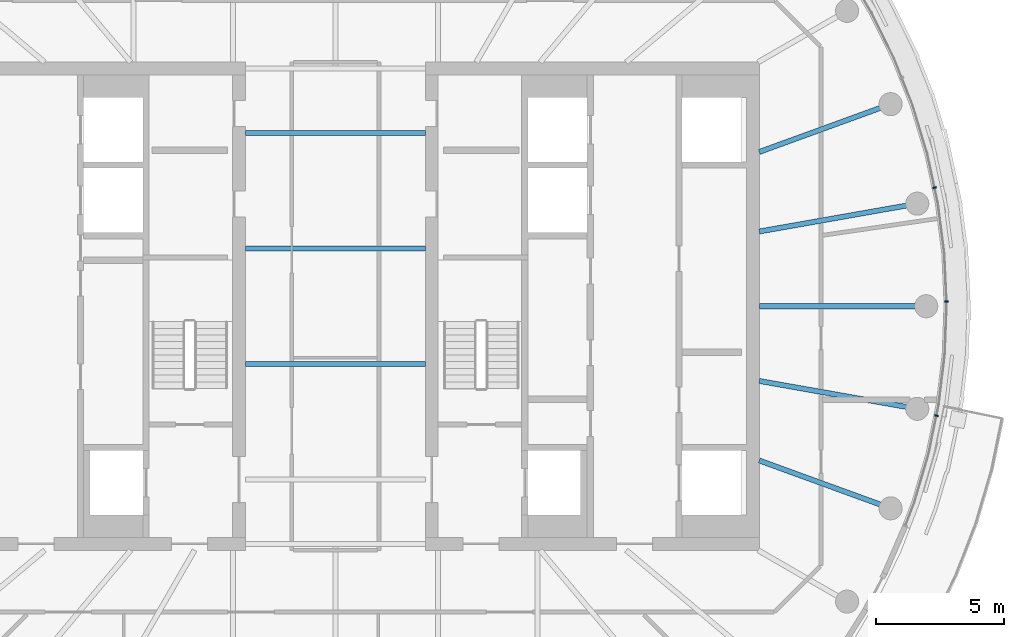
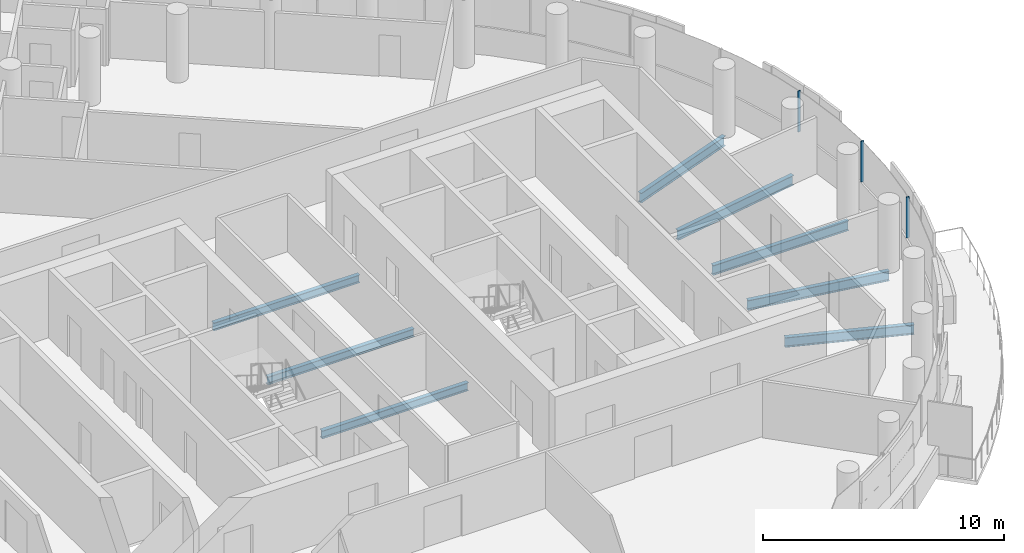
# One storey, part 9 of 27: 8 beams, 3 members, 1 element without a shape of its own.
"""IFC4 building model written with IfcOpenShell, lengths in metres."""

from ifc_helpers import new_model, si_unit, direction, frame, origin, origin_2d, place, context, subcontext, project, spatial, rectangle, i_section, extrude, material, layer, layer_set, material_profile, profile_set, type_object, element, aggregate, save


model = new_model("IFC4")

# Units and contexts
model_context = context("Model", 3, precision=1e-05, world=origin(), true_north=direction((0.0, 1.0)))
body_context = subcontext(model_context, "Body", "Model", "MODEL_VIEW")
ifc_project = project(units=[si_unit("LENGTHUNIT", "METRE"), si_unit("AREAUNIT", "SQUARE_METRE"), si_unit("VOLUMEUNIT", "CUBIC_METRE"), si_unit("PLANEANGLEUNIT", "RADIAN"), si_unit("MASSUNIT", "GRAM", prefix="KILO")], contexts=[model_context])

# Site, building, storey
site_placement = place(None, origin())
site = spatial("IfcSite", under=ifc_project, at=site_placement, CompositionType="ELEMENT")
building_placement = place(site_placement, origin())
building = spatial("IfcBuilding", under=site, at=building_placement, Name="Tamarind Cross Interchange Tower", CompositionType="ELEMENT")
storey_placement = place(building_placement, frame((0.0, 0.0, 227.10009765625)))
storey = spatial("IfcBuildingStorey", under=building, at=storey_placement, Name="L57", CompositionType="ELEMENT", Elevation=227.10009765625)

# Beams
ifc_material_1 = material(Name="Steel Q355B", Category="steel")
ifc_material_profile_1 = material_profile(ifc_material_1, i_section(OverallWidth=0.199951171875, OverallDepth=0.39990234375, WebThickness=0.008056640625, FlangeThickness=0.012939453125, FilletRadius=0.01611328125, at=origin_2d()), Name="HN 400x200x8x13")
ifc_profile_set_1 = profile_set([ifc_material_profile_1], Name="Steel Q355B")
beam_type_1 = type_object("IfcBeamType", Name="Composite beam HN 400x200x8x13 Q355B", PredefinedType="BEAM", material=ifc_profile_set_1)
for number, where, z_axis, x_axis, name in (
    (1, (-3.5, -2.25, -0.340087890625), (1.0, 0.0, 0.0), (0.0, 1.0, 0.0), "Beam G-2.25"),
    (2, (-3.5, 2.25, -0.340087890625), (1.0, 0.0, 0.0), (0.0, 1.0, 0.0), "Beam G2.25"),
    (3, (-3.5, 6.75, -0.340087890625), (1.0, 0.0, 0.0), (0.0, 1.0, 0.0), "Beam G6.75"),
):
    element("IfcBeam", number, at=place(storey_placement, frame(where, z_axis=z_axis, x_axis=x_axis)), inside=storey, type_object=beam_type_1, Name=name, PredefinedType="BEAM", context=body_context, shape_type="SweptSolid", body=[
        extrude(i_section(OverallWidth=0.199951171875, OverallDepth=0.39990234375, WebThickness=0.008056640625, FlangeThickness=0.012939453125, FilletRadius=0.01611328125, at=origin_2d()), origin(), (0.0, 0.0, 1.0), 7.0),
    ])
ifc_material_profile_2 = material_profile(ifc_material_1, i_section(OverallWidth=0.198974609375, OverallDepth=0.49609375, WebThickness=0.009033203125, FlangeThickness=0.013916015625, FilletRadius=0.012939453125, at=origin_2d()), Name="HN 496x199x9x14")
ifc_profile_set_2 = profile_set([ifc_material_profile_2], Name="Steel Q355B")
beam_type_2 = type_object("IfcBeamType", Name="Composite beam HN 496x199x9x14 Q355B", PredefinedType="BEAM", material=ifc_profile_set_2)
beam_1_placement = place(storey_placement, frame((23.0, 0.0, -0.38818359375), z_axis=(-1.0, 0.0, 0.0), x_axis=(0.0, -1.0, 0.0)))
element("IfcBeam", 4, at=beam_1_placement, inside=storey, type_object=beam_type_2, Name="Beam HH00", PredefinedType="BEAM", context=body_context, shape_type="SweptSolid", body=[
    extrude(i_section(OverallWidth=0.198974609375, OverallDepth=0.49609375, WebThickness=0.009033203125, FlangeThickness=0.013916015625, FilletRadius=0.012939453125, at=origin_2d()), origin(), (0.0, 0.0, 1.0), 6.5),
])
beam_2_placement = place(storey_placement, frame((22.650634765625, 3.993896484375, -0.38818359375), z_axis=(-0.984809127561, -0.173640382036, 0.0), x_axis=(0.173640382036, -0.984809127561, 0.0)))
element("IfcBeam", 5, at=beam_2_placement, inside=storey, type_object=beam_type_2, Name="Beam HH01", PredefinedType="BEAM", context=body_context, shape_type="SweptSolid", body=[
    extrude(i_section(OverallWidth=0.198974609375, OverallDepth=0.49609375, WebThickness=0.009033203125, FlangeThickness=0.013916015625, FilletRadius=0.012939453125, at=origin_2d()), origin(), (0.0, 0.0, 1.0), 6.24560546875),
])
for number, where, z_axis, x_axis, name in (
    (6, (21.613037109375, 7.866455078125, -0.38818359375), (-0.939701685589, -0.341995236956, 0.0), (0.341995236956, -0.939701685589, 0.0), "Beam HH02"),
    (7, (21.613037109375, -7.866455078125, -0.38818359375), (-0.939701685589, 0.341995236956, 0.0), (-0.341995236956, -0.939701685589, 0.0), "Beam HH34"),
):
    element("IfcBeam", number, at=place(storey_placement, frame(where, z_axis=z_axis, x_axis=x_axis)), inside=storey, type_object=beam_type_2, Name=name, PredefinedType="BEAM", context=body_context, shape_type="SweptSolid", body=[
        extrude(i_section(OverallWidth=0.198974609375, OverallDepth=0.49609375, WebThickness=0.009033203125, FlangeThickness=0.013916015625, FilletRadius=0.012939453125, at=origin_2d()), origin(), (0.0, 0.0, 1.0), 5.441162109375),
    ])
beam_3_placement = place(storey_placement, frame((22.650634765625, -3.993896484375, -0.38818359375), z_axis=(-0.984809127561, 0.173640382036, 0.0), x_axis=(-0.173640382036, -0.984809127561, 0.0)))
element("IfcBeam", 8, at=beam_3_placement, inside=storey, type_object=beam_type_2, Name="Beam HH35", PredefinedType="BEAM", context=body_context, shape_type="SweptSolid", body=[
    extrude(i_section(OverallWidth=0.198974609375, OverallDepth=0.49609375, WebThickness=0.009033203125, FlangeThickness=0.013916015625, FilletRadius=0.012939453125, at=origin_2d()), origin(), (0.0, 0.0, 1.0), 6.24560546875),
])

# Curtain wall, members
ifc_material_2 = material(Name="Aluminium 6063-T6", Category="aluminium")
ifc_layer = layer(ifc_material_2, 0.139892578125)
ifc_layer_set = layer_set([ifc_layer], Name="Aluminium 6063-T6")
curtain_wall_type = type_object("IfcCurtainWallType", Name="Hotel curtain wall, 4.5 m bays", PredefinedType="NOTDEFINED", material=ifc_layer_set)
curtain_wall_placement = place(storey_placement, origin())
curtain_wall = element("IfcCurtainWall", 9, at=curtain_wall_placement, inside=storey, type_object=curtain_wall_type, Name="CWS-L57-02", PredefinedType="NOTDEFINED")
ifc_material_profile_3 = material_profile(ifc_material_2, rectangle(XDim=0.06005859375, YDim=0.139892578125, at=origin_2d()), Name="Mullion CW2")
ifc_profile_set_3 = profile_set([ifc_material_profile_3], Name="Aluminium 6063-T6")
member_type = type_object("IfcMemberType", Name="Mullion CW2", PredefinedType="MULLION", material=ifc_profile_set_3)
member_1_placement = place(storey_placement, frame((23.397216796875, -4.257080078125, 1.39990234375), z_axis=(0.0, 0.0, 1.0), x_axis=(0.201001463943, 0.9795909409, 0.0)))
member_1 = element("IfcMember", 10, at=member_1_placement, type_object=member_type, Name="CWM-L57-02-13", PredefinedType="MULLION", context=body_context, shape_type="SweptSolid", body=[
    extrude(rectangle(XDim=0.06005859375, YDim=0.139892578125, at=origin_2d()), origin(), (0.0, 0.0, 1.0), 2.06005859375),
])
member_2_placement = place(storey_placement, frame((23.791748046875, 0.184814453125, 1.39990234375), z_axis=(0.0, 0.0, 1.0), x_axis=(-0.045624486728, 0.998958660912, 0.0)))
member_2 = element("IfcMember", 11, at=member_2_placement, type_object=member_type, Name="CWM-L57-02-14", PredefinedType="MULLION", context=body_context, shape_type="SweptSolid", body=[
    extrude(rectangle(XDim=0.06005859375, YDim=0.139892578125, at=origin_2d()), origin(), (0.0, 0.0, 1.0), 2.06005859375),
])
member_3_placement = place(storey_placement, frame((23.3251953125, 4.6201171875, 1.39990234375), z_axis=(0.0, 0.0, 1.0), x_axis=(-0.209425419705, 0.977824623121, 0.0)))
member_3 = element("IfcMember", 12, at=member_3_placement, type_object=member_type, Name="CWM-L57-02-15", PredefinedType="MULLION", context=body_context, shape_type="SweptSolid", body=[
    extrude(rectangle(XDim=0.06005859375, YDim=0.139892578125, at=origin_2d()), origin(), (0.0, 0.0, 1.0), 2.06005859375),
])
aggregate(curtain_wall, [member_1, member_2, member_3])

save(model, "model.ifc")
